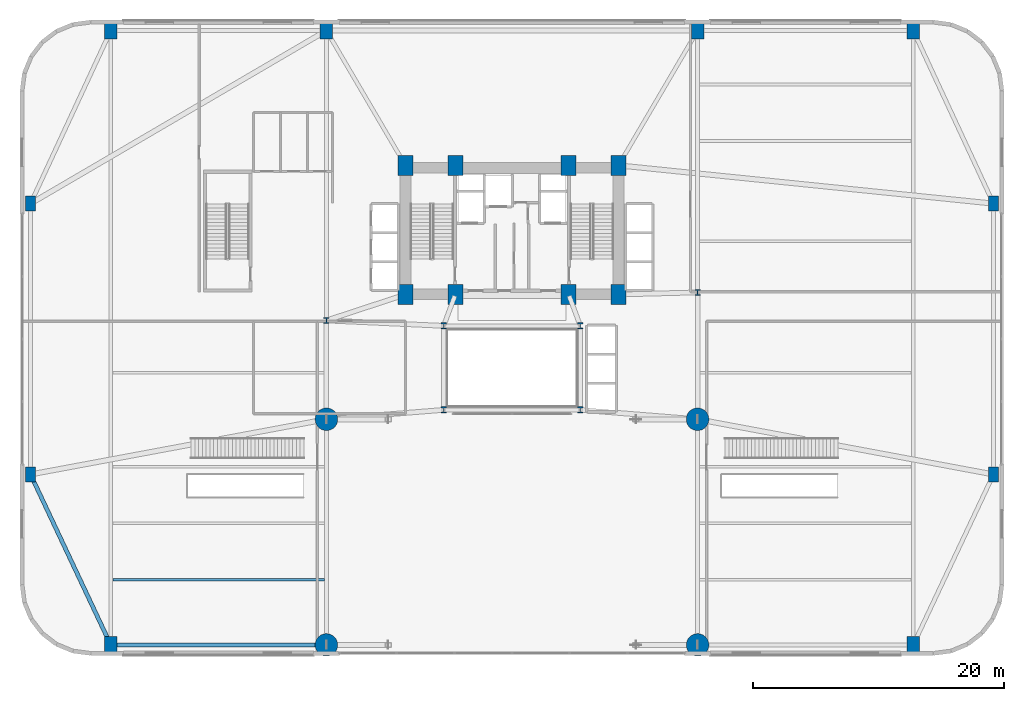
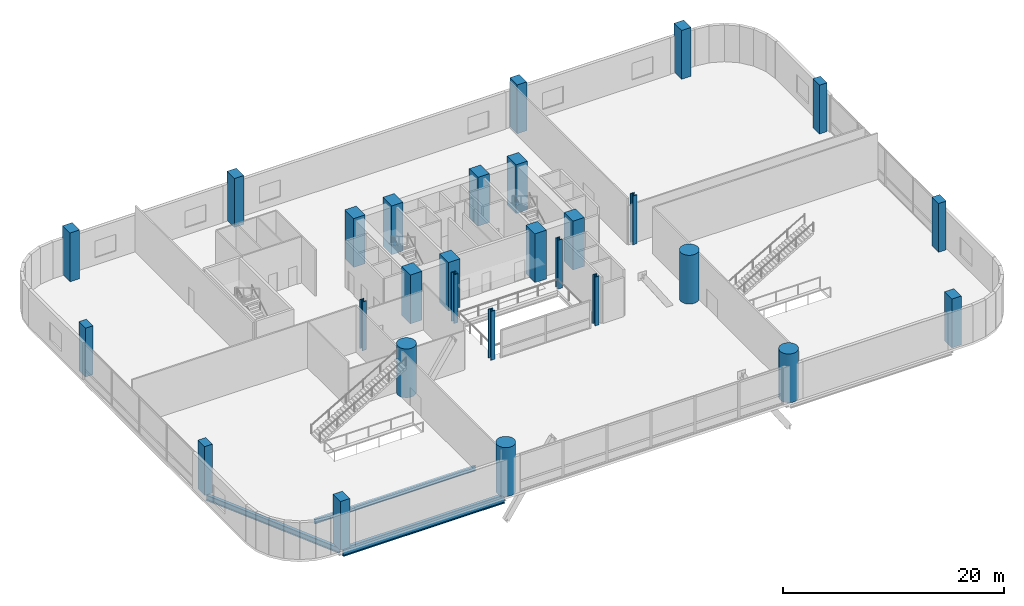
# One storey, part 1 of 40: 28 columns, 3 beams.
"""IFC4 building model written with IfcOpenShell, lengths in metres."""

from ifc_helpers import new_model, si_unit, direction, frame, origin, origin_2d, place, context, subcontext, project, spatial, rectangle, circle, i_section, extrude, material, material_profile, profile_set, type_object, element, save


model = new_model("IFC4")

# Units and contexts
model_context = context("Model", 3, precision=1e-05, world=origin(), true_north=direction((0.0, 1.0)))
body_context = subcontext(model_context, "Body", "Model", "MODEL_VIEW")
ifc_project = project(units=[si_unit("LENGTHUNIT", "METRE"), si_unit("AREAUNIT", "SQUARE_METRE"), si_unit("VOLUMEUNIT", "CUBIC_METRE"), si_unit("PLANEANGLEUNIT", "RADIAN"), si_unit("MASSUNIT", "GRAM", prefix="KILO")], contexts=[model_context])

# Site, building, storey
site_placement = place(None, origin())
site = spatial("IfcSite", under=ifc_project, at=site_placement, CompositionType="ELEMENT")
building_placement = place(site_placement, origin())
building = spatial("IfcBuilding", under=site, at=building_placement, Name="Varnelok Gate Tower", CompositionType="ELEMENT")
storey_placement = place(building_placement, frame((0.0, 0.0, 5.39990234375)))
storey = spatial("IfcBuildingStorey", under=building, at=storey_placement, Name="L01", CompositionType="ELEMENT", Elevation=5.39990234375)

# Columns
ifc_material_1 = material(Name="Concrete C60/75", Category="concrete")
ifc_material_profile_1 = material_profile(ifc_material_1, rectangle(XDim=0.800048828125, YDim=1.199951171875, at=origin_2d()), Name="RC1200X800")
ifc_profile_set_1 = profile_set([ifc_material_profile_1], Name="Concrete C60/75")
column_type_1 = type_object("IfcColumnType", Name="COL-PIL-RC1200", PredefinedType="PILASTER", material=ifc_profile_set_1)
for number, where, z_axis, x_axis, name in (
    (1, (0.800048828125, 14.39990234375, 0.0), (0.0, 0.0, 1.0), (1.0, 0.0, 0.0), "L01 Podium Mega-Column PM11"),
    (2, (0.800048828125, 36.0, 0.0), (0.0, 0.0, 1.0), (1.0, 0.0, 0.0), "L01 Podium Mega-Column PM12"),
    (3, (77.60009765625, 14.39990234375, 0.0), (0.0, 0.0, 1.0), (1.0, 0.0, 0.0), "L01 Podium Mega-Column PM13"),
    (4, (77.60009765625, 36.0, 0.0), (0.0, 0.0, 1.0), (1.0, 0.0, 0.0), "L01 Podium Mega-Column PM14"),
):
    element("IfcColumn", number, at=place(storey_placement, frame(where, z_axis=z_axis, x_axis=x_axis)), inside=storey, type_object=column_type_1, Name=name, PredefinedType="PILASTER", context=body_context, shape_type="SweptSolid", body=[
        extrude(rectangle(XDim=0.800048828125, YDim=1.199951171875, at=origin_2d()), origin(), (0.0, 0.0, 1.0), 5.400146484375),
    ])
ifc_material_2 = material(Name="Concrete C70/85", Category="concrete")
ifc_material_profile_2 = material_profile(ifc_material_2, rectangle(XDim=1.0, YDim=1.35009765625, at=origin_2d()), Name="RC1350X1000")
ifc_profile_set_2 = profile_set([ifc_material_profile_2], Name="Concrete C70/85")
column_type_2 = type_object("IfcColumnType", Name="COL-RC1350X1000", PredefinedType="COLUMN", material=ifc_profile_set_2)
for number, where, z_axis, x_axis, name in (
    (5, (7.199951171875, 0.800048828125, 0.0), (0.0, 0.0, 1.0), (1.0, 0.0, 0.0), "L01 Podium Mega-Column PM01"),
    (6, (71.199951171875, 0.800048828125, 0.0), (0.0, 0.0, 1.0), (1.0, 0.0, 0.0), "L01 Podium Mega-Column PM04"),
    (7, (7.199951171875, 49.800048828125, 0.0), (0.0, 0.0, 1.0), (1.0, 0.0, 0.0), "L01 Podium Mega-Column PM07"),
    (8, (24.39990234375, 49.800048828125, 0.0), (0.0, 0.0, 1.0), (1.0, 0.0, 0.0), "L01 Podium Mega-Column PM08"),
    (9, (54.0, 49.800048828125, 0.0), (0.0, 0.0, 1.0), (1.0, 0.0, 0.0), "L01 Podium Mega-Column PM09"),
    (10, (71.199951171875, 49.800048828125, 0.0), (0.0, 0.0, 1.0), (1.0, 0.0, 0.0), "L01 Podium Mega-Column PM10"),
):
    element("IfcColumn", number, at=place(storey_placement, frame(where, z_axis=z_axis, x_axis=x_axis)), inside=storey, type_object=column_type_2, Name=name, PredefinedType="COLUMN", context=body_context, shape_type="SweptSolid", body=[
        extrude(rectangle(XDim=1.0, YDim=1.35009765625, at=origin_2d()), origin(), (0.0, 0.0, 1.0), 5.400146484375),
    ])
ifc_material_profile_3 = material_profile(ifc_material_2, rectangle(XDim=1.199951171875, YDim=1.60009765625, at=origin_2d()), Name="RC1600X1200")
ifc_profile_set_3 = profile_set([ifc_material_profile_3], Name="Concrete C70/85")
column_type_3 = type_object("IfcColumnType", Name="COL-RC1600X1200", PredefinedType="COLUMN", material=ifc_profile_set_3)
for number, where, z_axis, x_axis, name in (
    (11, (30.699951171875, 28.75, 0.0), (0.0, 0.0, 1.0), (1.0, 0.0, 0.0), "L01 Core Spine Column SC1"),
    (12, (34.679931640625, 28.75, 0.0), (0.0, 0.0, 1.0), (1.0, 0.0, 0.0), "L01 Core Spine Column SC2"),
    (13, (43.719970703125, 28.75, 0.0), (0.0, 0.0, 1.0), (1.0, 0.0, 0.0), "L01 Core Spine Column SC3"),
    (14, (47.699951171875, 28.75, 0.0), (0.0, 0.0, 1.0), (1.0, 0.0, 0.0), "L01 Core Spine Column SC4"),
    (15, (30.699951171875, 39.050048828125, 0.0), (0.0, 0.0, 1.0), (1.0, 0.0, 0.0), "L01 Core Spine Column SC5"),
    (16, (34.679931640625, 39.050048828125, 0.0), (0.0, 0.0, 1.0), (1.0, 0.0, 0.0), "L01 Core Spine Column SC6"),
    (17, (43.719970703125, 39.050048828125, 0.0), (0.0, 0.0, 1.0), (1.0, 0.0, 0.0), "L01 Core Spine Column SC7"),
    (18, (47.699951171875, 39.050048828125, 0.0), (0.0, 0.0, 1.0), (1.0, 0.0, 0.0), "L01 Core Spine Column SC8"),
):
    element("IfcColumn", number, at=place(storey_placement, frame(where, z_axis=z_axis, x_axis=x_axis)), inside=storey, type_object=column_type_3, Name=name, PredefinedType="COLUMN", context=body_context, shape_type="SweptSolid", body=[
        extrude(rectangle(XDim=1.199951171875, YDim=1.60009765625, at=origin_2d()), origin(), (0.0, 0.0, 1.0), 5.400146484375),
    ])
ifc_material_profile_4 = material_profile(ifc_material_2, circle(Radius=0.89990234375, at=origin_2d()), Name="RCD1800")
ifc_profile_set_4 = profile_set([ifc_material_profile_4], Name="Concrete C70/85")
column_type_4 = type_object("IfcColumnType", Name="COL-RCD1800", PredefinedType="COLUMN", material=ifc_profile_set_4)
for number, where, z_axis, x_axis, name in (
    (19, (24.39990234375, 0.800048828125, 0.0), (0.0, 0.0, 1.0), (1.0, 0.0, 0.0), "L01 Podium Mega-Column PM02"),
    (20, (54.0, 0.800048828125, 0.0), (0.0, 0.0, 1.0), (1.0, 0.0, 0.0), "L01 Podium Mega-Column PM03"),
    (21, (24.39990234375, 18.800048828125, 0.0), (0.0, 0.0, 1.0), (1.0, 0.0, 0.0), "L01 Podium Mega-Column PM05"),
    (22, (54.0, 18.800048828125, 0.0), (0.0, 0.0, 1.0), (1.0, 0.0, 0.0), "L01 Podium Mega-Column PM06"),
):
    element("IfcColumn", number, at=place(storey_placement, frame(where, z_axis=z_axis, x_axis=x_axis)), inside=storey, type_object=column_type_4, Name=name, PredefinedType="COLUMN", context=body_context, shape_type="SweptSolid", body=[
        extrude(circle(Radius=0.89990234375, at=origin_2d()), origin(), (0.0, 0.0, 1.0), 5.400146484375),
    ])
ifc_material_3 = material(Name="Structural Steel ASTM A992 Grade 50", Category="steel")
ifc_material_profile_5 = material_profile(ifc_material_3, i_section(OverallWidth=0.431884765625, OverallDepth=0.498046875, WebThickness=0.0556640625, FlangeThickness=0.0888671875, FilletRadius=0.02490234375, at=origin_2d()), Name="W14X500")
ifc_profile_set_5 = profile_set([ifc_material_profile_5], Name="Structural Steel ASTM A992 Grade 50")
column_type_5 = type_object("IfcColumnType", Name="COL-W14X500", PredefinedType="COLUMN", material=ifc_profile_set_5)
for number, where, z_axis, x_axis, name in (
    (23, (33.75, 19.550048828125, 0.0), (0.0, 0.0, 1.0), (1.0, 0.0, 0.0), "L01 Atrium Spine Column AC1"),
    (24, (44.64990234375, 19.550048828125, 0.0), (0.0, 0.0, 1.0), (1.0, 0.0, 0.0), "L01 Atrium Spine Column AC2"),
    (25, (33.75, 26.25, 0.0), (0.0, 0.0, 1.0), (1.0, 0.0, 0.0), "L01 Atrium Spine Column AC3"),
    (26, (44.64990234375, 26.25, 0.0), (0.0, 0.0, 1.0), (1.0, 0.0, 0.0), "L01 Atrium Spine Column AC4"),
    (27, (24.39990234375, 26.679931640625, 0.0), (0.0, 0.0, 1.0), (1.0, 0.0, 0.0), "L01 Wing Spine Column WS2"),
    (28, (54.0, 28.919921875, 0.0), (0.0, 0.0, 1.0), (1.0, 0.0, 0.0), "L01 Wing Spine Column ES2"),
):
    element("IfcColumn", number, at=place(storey_placement, frame(where, z_axis=z_axis, x_axis=x_axis)), inside=storey, type_object=column_type_5, Name=name, PredefinedType="COLUMN", context=body_context, shape_type="SweptSolid", body=[
        extrude(i_section(OverallWidth=0.431884765625, OverallDepth=0.498046875, WebThickness=0.0556640625, FlangeThickness=0.0888671875, FilletRadius=0.02490234375, at=origin_2d()), origin(), (0.0, 0.0, 1.0), 5.400146484375),
    ])

# Beams
ifc_material_profile_6 = material_profile(ifc_material_3, i_section(OverallWidth=0.2119140625, OverallDepth=0.5439453125, WebThickness=0.01318359375, FlangeThickness=0.021240234375, FilletRadius=0.01611328125, at=origin_2d()), Name="W21X83")
ifc_profile_set_6 = profile_set([ifc_material_profile_6], Name="Structural Steel ASTM A992 Grade 50")
beam_type_1 = type_object("IfcBeamType", Name="BM-JST-W21X83", PredefinedType="JOIST", material=ifc_profile_set_6)
beam_1_placement = place(storey_placement, frame((7.360107421875, 6.0, -0.552001953125), z_axis=(1.0, 0.0, 0.0), x_axis=(0.0, 1.0, 0.0)))
element("IfcBeam", 29, at=beam_1_placement, inside=storey, type_object=beam_type_1, Name="L01 Podium Floor Joist", PredefinedType="JOIST", context=body_context, shape_type="SweptSolid", body=[
    extrude(i_section(OverallWidth=0.2119140625, OverallDepth=0.5439453125, WebThickness=0.01318359375, FlangeThickness=0.021240234375, FilletRadius=0.01611328125, at=origin_2d()), origin(), (0.0, 0.0, 1.0), 16.8798828125),
])
ifc_material_profile_7 = material_profile(ifc_material_3, i_section(OverallWidth=0.30810546875, OverallDepth=0.943115234375, WebThickness=0.022216796875, FlangeThickness=0.039794921875, FilletRadius=0.02587890625, at=origin_2d()), Name="W36X232")
ifc_profile_set_7 = profile_set([ifc_material_profile_7], Name="Structural Steel ASTM A992 Grade 50")
beam_type_2 = type_object("IfcBeamType", Name="BM-PRI-W36X232", PredefinedType="BEAM", material=ifc_profile_set_7)
beam_2_placement = place(storey_placement, frame((7.340087890625, 0.800048828125, -0.75146484375), z_axis=(1.0, 0.0, 0.0), x_axis=(0.0, 1.0, 0.0)))
element("IfcBeam", 30, at=beam_2_placement, inside=storey, type_object=beam_type_2, Name="L01 Podium Primary Girder 1", PredefinedType="BEAM", context=body_context, shape_type="SweptSolid", body=[
    extrude(i_section(OverallWidth=0.30810546875, OverallDepth=0.943115234375, WebThickness=0.022216796875, FlangeThickness=0.039794921875, FilletRadius=0.02587890625, at=origin_2d()), origin(), (0.0, 0.0, 1.0), 16.919921875),
])
ifc_material_profile_8 = material_profile(ifc_material_3, i_section(OverallWidth=0.323974609375, OverallDepth=0.611083984375, WebThickness=0.0126953125, FlangeThickness=0.01904296875, FilletRadius=0.01806640625, at=origin_2d()), Name="W24X104")
ifc_profile_set_8 = profile_set([ifc_material_profile_8], Name="Structural Steel ASTM A992 Grade 50")
beam_type_3 = type_object("IfcBeamType", Name="BM-SPN-W24X104", PredefinedType="SPANDREL", material=ifc_profile_set_8)
beam_3_placement = place(storey_placement, frame((7.140380859375, 0.9267578125, -0.58544921875), z_axis=(-0.425801818887, 0.90481645157, 0.0), x_axis=(-0.90481645157, -0.425801818887, 0.0)))
element("IfcBeam", 31, at=beam_3_placement, inside=storey, type_object=beam_type_3, Name="L01 Podium Primary Girder 8", PredefinedType="SPANDREL", context=body_context, shape_type="SweptSolid", body=[
    extrude(i_section(OverallWidth=0.323974609375, OverallDepth=0.611083984375, WebThickness=0.0126953125, FlangeThickness=0.01904296875, FilletRadius=0.01806640625, at=origin_2d()), origin(), (0.0, 0.0, 1.0), 14.75048828125),
])

save(model, "model.ifc")
